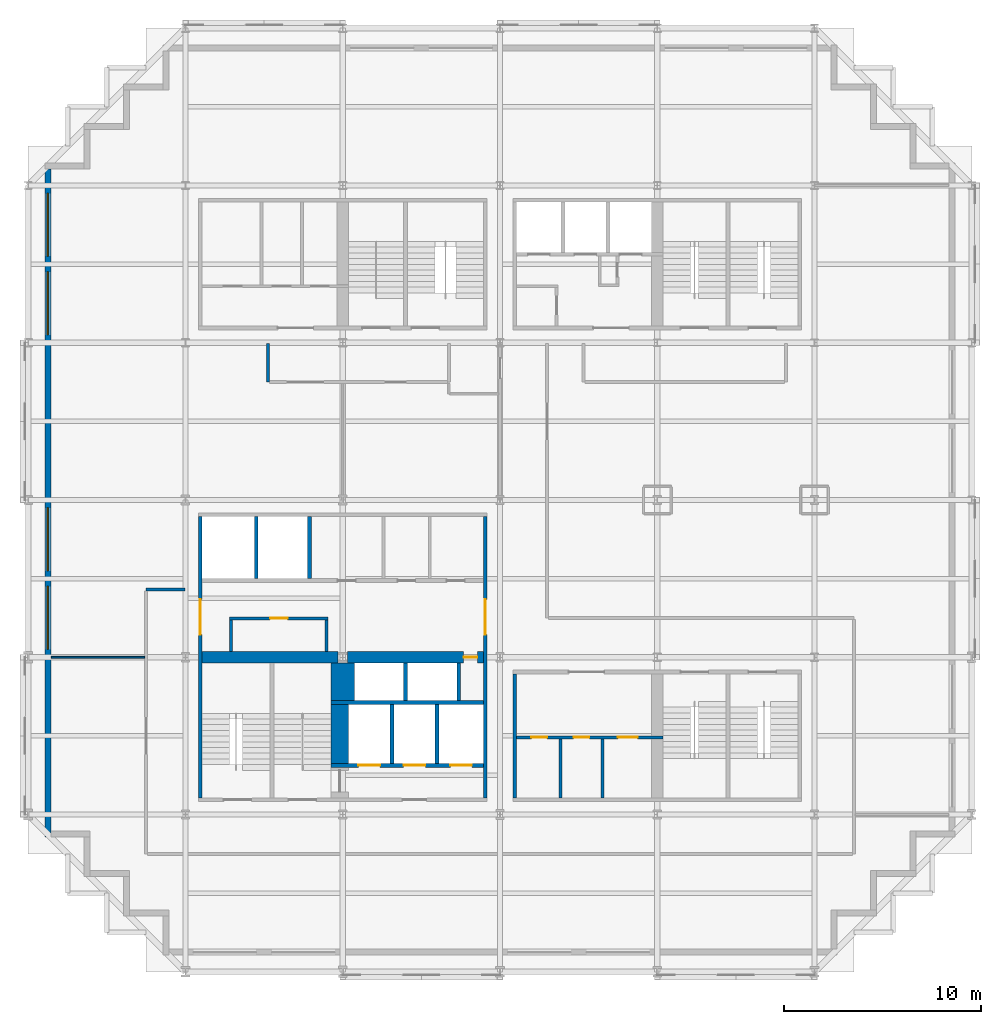
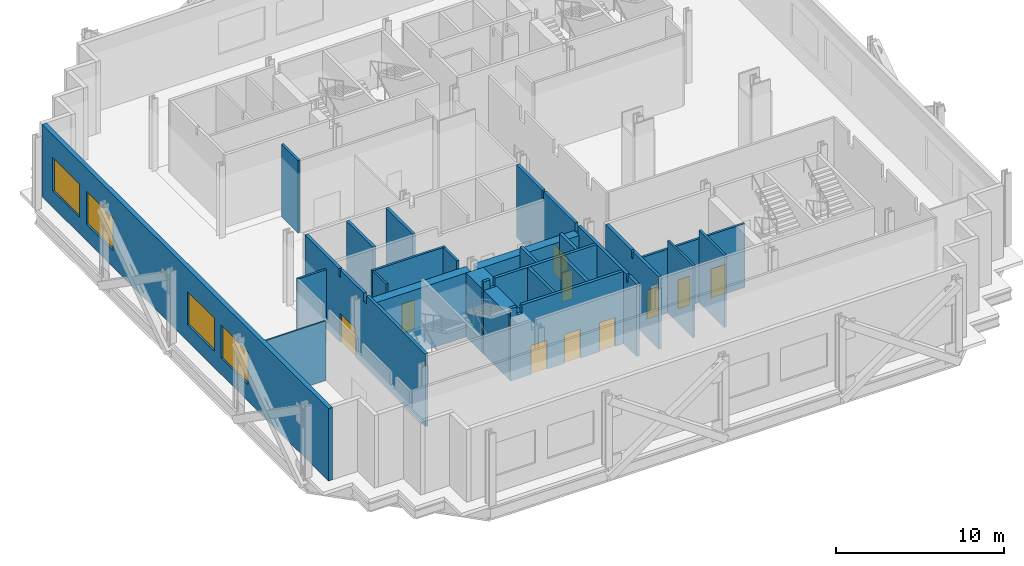
# One storey, part 5 of 10: 25 walls, 10 doors, 4 windows, 14 openings.
"""IFC4 building model written with IfcOpenShell, lengths in metres."""

from ifc_helpers import new_model, si_unit, direction, frame, frame_2d, origin, place, context, subcontext, project, spatial, polyline, rectangle, outline, extrude, material, layer, layer_set, type_object, element, fill, save


model = new_model("IFC4")

# Units and contexts
model_context = context("Model", 3, precision=1e-05, world=origin(), true_north=direction((0.0, 1.0)))
body_context = subcontext(model_context, "Body", "Model", "MODEL_VIEW")
ifc_project = project(units=[si_unit("LENGTHUNIT", "METRE"), si_unit("AREAUNIT", "SQUARE_METRE"), si_unit("VOLUMEUNIT", "CUBIC_METRE"), si_unit("PLANEANGLEUNIT", "RADIAN"), si_unit("MASSUNIT", "GRAM", prefix="KILO")], contexts=[model_context])

# Site, building, storey
site_placement = place(None, origin())
site = spatial("IfcSite", under=ifc_project, at=site_placement, CompositionType="ELEMENT")
building_placement = place(site_placement, origin())
building = spatial("IfcBuilding", under=site, at=building_placement, Name="Immortelle Media Tower", CompositionType="ELEMENT")
storey_placement = place(building_placement, frame((0.0, 0.0, 29.39990234375)))
storey = spatial("IfcBuildingStorey", under=building, at=storey_placement, Name="L03", CompositionType="ELEMENT", Elevation=29.39990234375)

# Wall, opening, door
ifc_material_1 = material(Name="Fire-rated masonry blockwork", Category="masonry")
ifc_layer_1 = layer(ifc_material_1, 0.60009765625)
ifc_layer_set_1 = layer_set([ifc_layer_1], Name="Fire-rated masonry blockwork")
wall_type_1 = type_object("IfcWallType", Name="Core grid-line wall 600", PredefinedType="PARTITIONING", material=ifc_layer_set_1)
wall_1_placement = place(storey_placement, frame((16.24755859375, 16.0, 0.0), z_axis=(0.0, 0.0, 1.0), x_axis=(1.0, 0.0, 0.0)))
wall_1 = element("IfcWall", 1, at=wall_1_placement, inside=storey, type_object=wall_type_1, Name="Core grid-line wall SW", PredefinedType="PARTITIONING", context=body_context, shape_type="SweptSolid", body=[
    extrude(rectangle(XDim=6.90234375, YDim=0.60009765625, at=frame_2d((3.451171875, 0.0))), origin(), (0.0, 0.0, 1.0), 4.632080078125),
])
opening_1_placement = place(wall_1_placement, frame((6.6025390625, 0.0, 0.0), z_axis=(0.0, 0.0, 1.0), x_axis=(-1.0, 0.0, 0.0)))
opening_1 = element("IfcOpeningElement", 2, at=opening_1_placement, cuts=wall_1, Name="Opening P3-K013", PredefinedType="OPENING", context=body_context, shape_type="SweptSolid", body=[
    extrude(rectangle(XDim=0.699951171875, YDim=2.10009765625, at=frame_2d((0.35009765625, 1.050048828125))), frame((0.0, 0.31005859375, 0.0), z_axis=(0.0, -1.0, 0.0), x_axis=(1.0, 0.0, 0.0)), (0.0, 0.0, 1.0), 0.6201171875),
])
ifc_material_2 = material(Name="Galvanised steel door leaf and frame ASTM A653", Category="steel")
door_type_1 = type_object("IfcDoorType", Name="Service door 700 x 2100", OperationType="NOTDEFINED", PredefinedType="NOTDEFINED", material=ifc_material_2)
door_1_placement = place(opening_1_placement, origin())
door_1 = element("IfcDoor", 3, at=door_1_placement, inside=storey, type_object=door_type_1, Name="Service P3-K013", OperationType="SINGLE_SWING_RIGHT", OverallHeight=2.10009765625, OverallWidth=0.699951171875, PredefinedType="NOTDEFINED", context=body_context, shape_type="SweptSolid", body=[
    extrude(rectangle(XDim=0.699951171875, YDim=2.10009765625, at=frame_2d((0.35009765625, 1.050048828125))), frame((0.0, 0.02490234375, 0.0), z_axis=(0.0, -1.0, 0.0), x_axis=(1.0, 0.0, 0.0)), (0.0, 0.0, 1.0), 0.050048828125),
])
fill(opening_1, door_1)

# Wall
ifc_material_3 = material(Name="Fire-rated gypsum board", Category="gypsum")
ifc_layer_2 = layer(ifc_material_3, 0.02490234375)
ifc_material_4 = material(Name="Steel ASTM A653 SS Gr 50 stud frame with mineral wool", Category="steel")
ifc_layer_3 = layer(ifc_material_4, 0.10009765625)
ifc_layer_4 = layer(ifc_material_3, 0.02490234375)
ifc_layer_set_2 = layer_set([ifc_layer_2, ifc_layer_3, ifc_layer_4], Name="Steel ASTM A653 SS Gr 50 stud frame with mineral wool")
wall_type_2 = type_object("IfcWallType", Name="Core partition 150", PredefinedType="PARTITIONING", material=ifc_layer_set_2)
wall_2_placement = place(storey_placement, frame((10.324951171875, 16.300048828125, 0.0), z_axis=(0.0, 0.0, 1.0), x_axis=(0.0, 1.0, 0.0)))
element("IfcWall", 4, at=wall_2_placement, inside=storey, type_object=wall_type_2, Name="Core partition SW", PredefinedType="PARTITIONING", context=body_context, shape_type="SweptSolid", body=[
    extrude(rectangle(XDim=1.599853515625, YDim=0.14990234375, at=frame_2d((0.7998046875, 0.0))), origin(), (0.0, 0.0, 1.0), 5.25),
])

# Wall, opening, door
wall_3_placement = place(storey_placement, frame((10.25, 17.97509765625, 0.0), z_axis=(0.0, 0.0, 1.0), x_axis=(1.0, 0.0, 0.0)))
wall_3 = element("IfcWall", 5, at=wall_3_placement, inside=storey, type_object=wall_type_2, Name="Core partition SW", PredefinedType="PARTITIONING", context=body_context, shape_type="SweptSolid", body=[
    extrude(rectangle(XDim=5.0, YDim=0.14990234375, at=frame_2d((2.5, 0.0))), origin(), (0.0, 0.0, 1.0), 5.25),
])
opening_2_placement = place(wall_3_placement, frame((2.949951171875, 0.0, 0.0), z_axis=(0.0, 0.0, 1.0), x_axis=(-1.0, 0.0, 0.0)))
opening_2 = element("IfcOpeningElement", 6, at=opening_2_placement, cuts=wall_3, Name="Opening P3-K003", PredefinedType="OPENING", context=body_context, shape_type="SweptSolid", body=[
    extrude(rectangle(XDim=0.89990234375, YDim=2.10009765625, at=frame_2d((0.449951171875, 1.050048828125))), frame((0.0, 0.0849609375, 0.0), z_axis=(0.0, -1.0, 0.0), x_axis=(1.0, 0.0, 0.0)), (0.0, 0.0, 1.0), 0.169921875),
])
ifc_material_5 = material(Name="Timber", Category="wood")
door_type_2 = type_object("IfcDoorType", Name="Room door 900 x 2100", OperationType="NOTDEFINED", PredefinedType="NOTDEFINED", material=ifc_material_5)
door_2_placement = place(opening_2_placement, origin())
door_2 = element("IfcDoor", 7, at=door_2_placement, inside=storey, type_object=door_type_2, Name="Room P3-K003", OperationType="SINGLE_SWING_RIGHT", OverallHeight=2.10009765625, OverallWidth=0.89990234375, PredefinedType="NOTDEFINED", context=body_context, shape_type="SweptSolid", body=[
    extrude(rectangle(XDim=0.89990234375, YDim=2.10009765625, at=frame_2d((0.449951171875, 1.050048828125))), frame((0.0, 0.02490234375, 0.0), z_axis=(0.0, -1.0, 0.0), x_axis=(1.0, 0.0, 0.0)), (0.0, 0.0, 1.0), 0.050048828125),
])
fill(opening_2, door_2)

# Wall
wall_4_placement = place(storey_placement, frame((15.175048828125, 16.300048828125, 0.0), z_axis=(0.0, 0.0, 1.0), x_axis=(0.0, 1.0, 0.0)))
element("IfcWall", 8, at=wall_4_placement, inside=storey, type_object=wall_type_2, Name="Core partition SW", PredefinedType="PARTITIONING", context=body_context, shape_type="SweptSolid", body=[
    extrude(rectangle(XDim=1.599853515625, YDim=0.14990234375, at=frame_2d((0.7998046875, 0.0))), origin(), (0.0, 0.0, 1.0), 5.25),
])

# Wall, openings, doors
wall_5_placement = place(storey_placement, frame((24.85009765625, 11.925048828125, 0.0), z_axis=(0.0, 0.0, 1.0), x_axis=(1.0, 0.0, 0.0)))
wall_5 = element("IfcWall", 9, at=wall_5_placement, inside=storey, type_object=wall_type_2, Name="Core partition SE", PredefinedType="PARTITIONING", context=body_context, shape_type="SweptSolid", body=[
    extrude(rectangle(XDim=7.449951171875, YDim=0.14990234375, at=frame_2d((3.72509765625, 0.0))), origin(), (0.0, 0.0, 1.0), 4.632080078125),
])
opening_3_placement = place(wall_5_placement, frame((1.550048828125, 0.0, 0.0), z_axis=(0.0, 0.0, 1.0), x_axis=(-1.0, 0.0, 0.0)))
opening_3 = element("IfcOpeningElement", 10, at=opening_3_placement, cuts=wall_5, Name="Opening P3-K015", PredefinedType="OPENING", context=body_context, shape_type="SweptSolid", body=[
    extrude(rectangle(XDim=0.800048828125, YDim=2.10009765625, at=frame_2d((0.39990234375, 1.050048828125))), frame((0.0, 0.0849609375, 0.0), z_axis=(0.0, -1.0, 0.0), x_axis=(1.0, 0.0, 0.0)), (0.0, 0.0, 1.0), 0.169921875),
])
opening_4_placement = place(wall_5_placement, frame((3.699951171875, 0.0, 0.0), z_axis=(0.0, 0.0, 1.0), x_axis=(-1.0, 0.0, 0.0)))
opening_4 = element("IfcOpeningElement", 11, at=opening_4_placement, cuts=wall_5, Name="Opening P3-K016", PredefinedType="OPENING", context=body_context, shape_type="SweptSolid", body=[
    extrude(rectangle(XDim=0.800048828125, YDim=2.10009765625, at=frame_2d((0.39990234375, 1.050048828125))), frame((0.0, 0.0849609375, 0.0), z_axis=(0.0, -1.0, 0.0), x_axis=(1.0, 0.0, 0.0)), (0.0, 0.0, 1.0), 0.169921875),
])
opening_5_placement = place(wall_5_placement, frame((6.14990234375, 0.0, 0.0), z_axis=(0.0, 0.0, 1.0), x_axis=(-1.0, 0.0, 0.0)))
opening_5 = element("IfcOpeningElement", 12, at=opening_5_placement, cuts=wall_5, Name="Opening P3-K018", PredefinedType="OPENING", context=body_context, shape_type="SweptSolid", body=[
    extrude(rectangle(XDim=1.0, YDim=2.10009765625, at=frame_2d((0.5, 1.050048828125))), frame((0.0, 0.0849609375, 0.0), z_axis=(0.0, -1.0, 0.0), x_axis=(1.0, 0.0, 0.0)), (0.0, 0.0, 1.0), 0.169921875),
])
door_type_3 = type_object("IfcDoorType", Name="Accessible toilet door 1000 x 2100", OperationType="NOTDEFINED", PredefinedType="NOTDEFINED", material=ifc_material_5)
door_3_placement = place(opening_5_placement, origin())
door_3 = element("IfcDoor", 13, at=door_3_placement, inside=storey, type_object=door_type_3, Name="Accessible toilet P3-K018", OperationType="SINGLE_SWING_LEFT", OverallHeight=2.10009765625, OverallWidth=1.0, PredefinedType="NOTDEFINED", context=body_context, shape_type="SweptSolid", body=[
    extrude(rectangle(XDim=1.0, YDim=2.10009765625, at=frame_2d((0.5, 1.050048828125))), frame((0.0, 0.02490234375, 0.0), z_axis=(0.0, -1.0, 0.0), x_axis=(1.0, 0.0, 0.0)), (0.0, 0.0, 1.0), 0.050048828125),
])
fill(opening_5, door_3)
door_type_4 = type_object("IfcDoorType", Name="Toilet door 800 x 2100", OperationType="NOTDEFINED", PredefinedType="NOTDEFINED", material=ifc_material_5)
door_4_placement = place(opening_3_placement, origin())
door_4 = element("IfcDoor", 14, at=door_4_placement, inside=storey, type_object=door_type_4, Name="Toilet P3-K015", OperationType="SINGLE_SWING_RIGHT", OverallHeight=2.10009765625, OverallWidth=0.800048828125, PredefinedType="NOTDEFINED", context=body_context, shape_type="SweptSolid", body=[
    extrude(rectangle(XDim=0.800048828125, YDim=2.10009765625, at=frame_2d((0.39990234375, 1.050048828125))), frame((0.0, 0.02490234375, 0.0), z_axis=(0.0, -1.0, 0.0), x_axis=(1.0, 0.0, 0.0)), (0.0, 0.0, 1.0), 0.050048828125),
])
fill(opening_3, door_4)
door_5_placement = place(opening_4_placement, origin())
door_5 = element("IfcDoor", 15, at=door_5_placement, inside=storey, type_object=door_type_4, Name="Toilet P3-K016", OperationType="SINGLE_SWING_LEFT", OverallHeight=2.10009765625, OverallWidth=0.800048828125, PredefinedType="NOTDEFINED", context=body_context, shape_type="SweptSolid", body=[
    extrude(rectangle(XDim=0.800048828125, YDim=2.10009765625, at=frame_2d((0.39990234375, 1.050048828125))), frame((0.0, 0.02490234375, 0.0), z_axis=(0.0, -1.0, 0.0), x_axis=(1.0, 0.0, 0.0)), (0.0, 0.0, 1.0), 0.050048828125),
])
fill(opening_4, door_5)

# Walls
for number, where, z_axis, x_axis, name in (
    (16, (27.074951171875, 8.85009765625, 0.0), (0.0, 0.0, 1.0), (0.0, 1.0, 0.0), "Core partition SE"),
    (17, (29.22509765625, 8.85009765625, 0.0), (0.0, 0.0, 1.0), (0.0, 1.0, 0.0), "Core partition SE"),
):
    element("IfcWall", number, at=place(storey_placement, frame(where, z_axis=z_axis, x_axis=x_axis)), inside=storey, type_object=wall_type_2, Name=name, PredefinedType="PARTITIONING", context=body_context, shape_type="SweptSolid", body=[
        extrude(rectangle(XDim=3.0, YDim=0.14990234375, at=frame_2d((1.5, 0.0))), origin(), (0.0, 0.0, 1.0), 5.25),
    ])
ifc_layer_5 = layer(ifc_material_3, 0.03759765625)
ifc_layer_6 = layer(ifc_material_4, 0.125)
ifc_layer_7 = layer(ifc_material_3, 0.03759765625)
ifc_layer_set_3 = layer_set([ifc_layer_5, ifc_layer_6, ifc_layer_7], Name="Steel ASTM A653 SS Gr 50 stud frame with mineral wool")
wall_type_3 = type_object("IfcWallType", Name="Core shaft wall 200", PredefinedType="PARTITIONING", material=ifc_layer_set_3)
for number, where, z_axis, x_axis, name in (
    (18, (11.60009765625, 20.0, 0.0), (0.0, 0.0, 1.0), (0.0, 1.0, 0.0), "Core shaft wall SW"),
    (19, (14.300048828125, 20.0, 0.0), (0.0, 0.0, 1.0), (0.0, 1.0, 0.0), "Core shaft wall SW"),
):
    element("IfcWall", number, at=place(storey_placement, frame(where, z_axis=z_axis, x_axis=x_axis)), inside=storey, type_object=wall_type_3, Name=name, PredefinedType="PARTITIONING", context=body_context, shape_type="SweptSolid", body=[
        extrude(rectangle(XDim=3.14990234375, YDim=0.199951171875, at=frame_2d((1.574951171875, 0.0))), origin(), (0.0, 0.0, 1.0), 5.25),
    ])

# Wall, openings, doors
wall_6_placement = place(storey_placement, frame((15.39990234375, 10.5, 0.0), z_axis=(0.0, 0.0, 1.0), x_axis=(1.0, 0.0, 0.0)))
wall_6 = element("IfcWall", 20, at=wall_6_placement, inside=storey, type_object=wall_type_3, Name="Core shaft wall SW", PredefinedType="PARTITIONING", context=body_context, shape_type="SweptSolid", body=[
    extrude(outline(polyline([(0.0, 0.0), (7.75, 0.0), (7.75, 5.25), (0.76708984375, 5.25), (0.76611328125, 4.632080078125), (0.43408203125, 4.632080078125), (0.43310546875, 5.25), (0.0, 5.25), (0.0, 0.0)])), frame((0.0, 0.10009765625, 0.0), z_axis=(0.0, -1.0, 0.0), x_axis=(1.0, 0.0, 0.0)), (0.0, 0.0, 1.0), 0.199951171875),
])
opening_6_placement = place(wall_6_placement, frame((1.39990234375, 0.0, 0.0)))
opening_6 = element("IfcOpeningElement", 21, at=opening_6_placement, cuts=wall_6, Name="Opening LD", PredefinedType="OPENING", context=body_context, shape_type="SweptSolid", body=[
    extrude(rectangle(XDim=1.10009765625, YDim=2.10009765625, at=frame_2d((0.550048828125, 1.050048828125))), frame((0.0, 0.10986328125, 0.0), z_axis=(0.0, -1.0, 0.0), x_axis=(1.0, 0.0, 0.0)), (0.0, 0.0, 1.0), 0.219970703125),
])
opening_7_placement = place(wall_6_placement, frame((3.699951171875, 0.0, 0.0)))
opening_7 = element("IfcOpeningElement", 22, at=opening_7_placement, cuts=wall_6, Name="Opening LD", PredefinedType="OPENING", context=body_context, shape_type="SweptSolid", body=[
    extrude(rectangle(XDim=1.10009765625, YDim=2.10009765625, at=frame_2d((0.550048828125, 1.050048828125))), frame((0.0, 0.10986328125, 0.0), z_axis=(0.0, -1.0, 0.0), x_axis=(1.0, 0.0, 0.0)), (0.0, 0.0, 1.0), 0.219970703125),
])
opening_8_placement = place(wall_6_placement, frame((6.074951171875, 0.0, 0.0)))
opening_8 = element("IfcOpeningElement", 23, at=opening_8_placement, cuts=wall_6, Name="Opening LD", PredefinedType="OPENING", context=body_context, shape_type="SweptSolid", body=[
    extrude(rectangle(XDim=1.10009765625, YDim=2.10009765625, at=frame_2d((0.550048828125, 1.050048828125))), frame((0.0, 0.10986328125, 0.0), z_axis=(0.0, -1.0, 0.0), x_axis=(1.0, 0.0, 0.0)), (0.0, 0.0, 1.0), 0.219970703125),
])
ifc_material_6 = material(Name="Stainless steel AISI 304", Category="steel")
door_type_5 = type_object("IfcDoorType", Name="Landing door 1100 x 2100", OperationType="SLIDING_TO_LEFT", PredefinedType="NOTDEFINED", material=ifc_material_6)
door_6_placement = place(opening_6_placement, origin())
door_6 = element("IfcDoor", 24, at=door_6_placement, inside=storey, type_object=door_type_5, Name="Landing door FF1 L03", OperationType="SLIDING_TO_LEFT", OverallHeight=2.10009765625, OverallWidth=1.10009765625, PredefinedType="NOTDEFINED", context=body_context, shape_type="SweptSolid", body=[
    extrude(rectangle(XDim=1.10009765625, YDim=2.10009765625, at=frame_2d((0.550048828125, 1.050048828125))), frame((0.0, 0.02490234375, 0.0), z_axis=(0.0, -1.0, 0.0), x_axis=(1.0, 0.0, 0.0)), (0.0, 0.0, 1.0), 0.050048828125),
])
fill(opening_6, door_6)
door_7_placement = place(opening_7_placement, origin())
door_7 = element("IfcDoor", 25, at=door_7_placement, inside=storey, type_object=door_type_5, Name="Landing door FF2 L03", OperationType="SLIDING_TO_LEFT", OverallHeight=2.10009765625, OverallWidth=1.10009765625, PredefinedType="NOTDEFINED", context=body_context, shape_type="SweptSolid", body=[
    extrude(rectangle(XDim=1.10009765625, YDim=2.10009765625, at=frame_2d((0.550048828125, 1.050048828125))), frame((0.0, 0.02490234375, 0.0), z_axis=(0.0, -1.0, 0.0), x_axis=(1.0, 0.0, 0.0)), (0.0, 0.0, 1.0), 0.050048828125),
])
fill(opening_7, door_7)
door_8_placement = place(opening_8_placement, origin())
door_8 = element("IfcDoor", 26, at=door_8_placement, inside=storey, type_object=door_type_5, Name="Landing door FF3 L03", OperationType="SLIDING_TO_LEFT", OverallHeight=2.10009765625, OverallWidth=1.10009765625, PredefinedType="NOTDEFINED", context=body_context, shape_type="SweptSolid", body=[
    extrude(rectangle(XDim=1.10009765625, YDim=2.10009765625, at=frame_2d((0.550048828125, 1.050048828125))), frame((0.0, 0.02490234375, 0.0), z_axis=(0.0, -1.0, 0.0), x_axis=(1.0, 0.0, 0.0)), (0.0, 0.0, 1.0), 0.050048828125),
])
fill(opening_8, door_8)

# Walls
wall_7_placement = place(storey_placement, frame((15.39990234375, 13.699951171875, 0.0), z_axis=(0.0, 0.0, 1.0), x_axis=(1.0, 0.0, 0.0)))
element("IfcWall", 27, at=wall_7_placement, inside=storey, type_object=wall_type_3, Name="Core shaft wall SW", PredefinedType="PARTITIONING", context=body_context, shape_type="SweptSolid", body=[
    extrude(outline(polyline([(0.0, 0.0), (7.75, 0.0), (7.75, 5.25), (0.76708984375, 5.25), (0.76611328125, 4.632080078125), (0.43408203125, 4.632080078125), (0.43310546875, 5.25), (0.0, 5.25), (0.0, 0.0)])), frame((0.0, 0.10009765625, 0.0), z_axis=(0.0, -1.0, 0.0), x_axis=(1.0, 0.0, 0.0)), (0.0, 0.0, 1.0), 0.199951171875),
])
wall_8_placement = place(storey_placement, frame((18.5, 10.60009765625, 0.0), z_axis=(0.0, 0.0, 1.0), x_axis=(0.0, 1.0, 0.0)))
element("IfcWall", 28, at=wall_8_placement, inside=storey, type_object=wall_type_3, Name="Core shaft wall SW", PredefinedType="PARTITIONING", context=body_context, shape_type="SweptSolid", body=[
    extrude(rectangle(XDim=3.0, YDim=0.199951171875, at=frame_2d((1.5, 0.0))), origin(), (0.0, 0.0, 1.0), 5.25),
])
wall_9_placement = place(storey_placement, frame((19.199951171875, 13.800048828125, 0.0), z_axis=(0.0, 0.0, 1.0), x_axis=(0.0, 1.0, 0.0)))
element("IfcWall", 29, at=wall_9_placement, inside=storey, type_object=wall_type_3, Name="Core shaft wall SW", PredefinedType="PARTITIONING", context=body_context, shape_type="SweptSolid", body=[
    extrude(rectangle(XDim=1.89990234375, YDim=0.199951171875, at=frame_2d((0.949951171875, 0.0))), origin(), (0.0, 0.0, 1.0), 5.25),
])
wall_10_placement = place(storey_placement, frame((20.800048828125, 10.60009765625, 0.0), z_axis=(0.0, 0.0, 1.0), x_axis=(0.0, 1.0, 0.0)))
element("IfcWall", 30, at=wall_10_placement, inside=storey, type_object=wall_type_3, Name="Core shaft wall SW", PredefinedType="PARTITIONING", context=body_context, shape_type="SweptSolid", body=[
    extrude(rectangle(XDim=3.0, YDim=0.199951171875, at=frame_2d((1.5, 0.0))), origin(), (0.0, 0.0, 1.0), 5.25),
])
wall_11_placement = place(storey_placement, frame((21.89990234375, 13.800048828125, 0.0), z_axis=(0.0, 0.0, 1.0), x_axis=(0.0, 1.0, 0.0)))
element("IfcWall", 31, at=wall_11_placement, inside=storey, type_object=wall_type_3, Name="Core shaft wall SW", PredefinedType="PARTITIONING", context=body_context, shape_type="SweptSolid", body=[
    extrude(rectangle(XDim=1.89990234375, YDim=0.199951171875, at=frame_2d((0.949951171875, 0.0))), origin(), (0.0, 0.0, 1.0), 5.25),
])

# Wall, opening, door
wall_12_placement = place(storey_placement, frame((23.25, 8.85009765625, 0.0), z_axis=(0.0, 0.0, 1.0), x_axis=(0.0, 1.0, 0.0)))
wall_12 = element("IfcWall", 32, at=wall_12_placement, inside=storey, type_object=wall_type_3, Name="Core shaft wall SW", PredefinedType="PARTITIONING", context=body_context, shape_type="SweptSolid", body=[
    extrude(outline(polyline([(0.0, 0.0), (14.2998046875, 0.0), (14.300048828125, 5.25), (11.238525390625, 5.25), (11.237548828125, 4.7080078125), (11.0625, 4.7080078125), (11.0615234375, 5.25), (7.31689453125, 5.25), (7.31591796875, 4.632080078125), (6.98388671875, 4.632080078125), (6.98291015625, 5.25), (1.238525390625, 5.25), (1.237548828125, 4.7080078125), (1.0625, 4.7080078125), (1.0615234375, 5.25), (0.0, 5.25), (0.0, 0.0)])), frame((0.0, 0.10009765625, 0.0), z_axis=(0.0, -1.0, 0.0), x_axis=(1.0, 0.0, 0.0)), (0.0, 0.0, 1.0), 0.199951171875),
])
opening_9_placement = place(wall_12_placement, frame((8.300048828125, 0.0, 0.0)))
opening_9 = element("IfcOpeningElement", 33, at=opening_9_placement, cuts=wall_12, Name="Opening P3-K014", PredefinedType="OPENING", context=body_context, shape_type="SweptSolid", body=[
    extrude(rectangle(XDim=1.800048828125, YDim=2.10009765625, at=frame_2d((0.89990234375, 1.050048828125))), frame((0.0, 0.10986328125, 0.0), z_axis=(0.0, -1.0, 0.0), x_axis=(1.0, 0.0, 0.0)), (0.0, 0.0, 1.0), 0.219970703125),
])
door_type_6 = type_object("IfcDoorType", Name="Lift lobby door 1800 x 2100", OperationType="DOUBLE_DOOR_SINGLE_SWING", PredefinedType="NOTDEFINED", material=ifc_material_2)
door_9_placement = place(opening_9_placement, origin())
door_9 = element("IfcDoor", 34, at=door_9_placement, inside=storey, type_object=door_type_6, Name="Lift lobby P3-K014", OperationType="DOUBLE_DOOR_SINGLE_SWING", OverallHeight=2.10009765625, OverallWidth=1.800048828125, PredefinedType="NOTDEFINED", context=body_context, shape_type="SweptSolid", body=[
    extrude(rectangle(XDim=1.800048828125, YDim=2.10009765625, at=frame_2d((0.89990234375, 1.050048828125))), frame((0.0, 0.02490234375, 0.0), z_axis=(0.0, -1.0, 0.0), x_axis=(1.0, 0.0, 0.0)), (0.0, 0.0, 1.0), 0.050048828125),
])
fill(opening_9, door_9)

# Walls
wall_13_placement = place(storey_placement, frame((24.75, 8.85009765625, 0.0), z_axis=(0.0, 0.0, 1.0), x_axis=(0.0, 1.0, 0.0)))
element("IfcWall", 35, at=wall_13_placement, inside=storey, type_object=wall_type_3, Name="Core shaft wall SE", PredefinedType="PARTITIONING", context=body_context, shape_type="SweptSolid", body=[
    extrude(outline(polyline([(0.0, 0.0), (6.2998046875, 0.0), (6.300048828125, 5.25), (3.238525390625, 5.25), (3.237548828125, 4.7080078125), (3.0625, 4.7080078125), (3.0615234375, 5.25), (0.0, 5.25), (0.0, 0.0)])), frame((0.0, 0.10009765625, 0.0), z_axis=(0.0, -1.0, 0.0), x_axis=(1.0, 0.0, 0.0)), (0.0, 0.0, 1.0), 0.199951171875),
])
ifc_layer_8 = layer(ifc_material_3, 0.012451171875)
ifc_layer_9 = layer(ifc_material_4, 0.125)
ifc_layer_10 = layer(ifc_material_3, 0.012451171875)
ifc_layer_set_4 = layer_set([ifc_layer_8, ifc_layer_9, ifc_layer_10], Name="Steel ASTM A653 SS Gr 50 stud frame with mineral wool")
wall_type_4 = type_object("IfcWallType", Name="Corridor wall 150", PredefinedType="PARTITIONING", material=ifc_layer_set_4)
for number, where, z_axis, x_axis, name in (
    (36, (6.0, 19.449951171875, 0.0), (0.0, 0.0, 1.0), (1.0, 0.0, 0.0), "Partition L03-008"),
    (37, (12.199951171875, 30.0, 0.0), (0.0, 0.0, 1.0), (0.0, 1.0, 0.0), "Partition L03-022"),
):
    element("IfcWall", number, at=place(storey_placement, frame(where, z_axis=z_axis, x_axis=x_axis)), inside=storey, type_object=wall_type_4, Name=name, PredefinedType="PARTITIONING", context=body_context, shape_type="SweptSolid", body=[
        extrude(rectangle(XDim=1.969970703125, YDim=0.14990234375, at=frame_2d((0.98486328125, 0.0))), origin(), (0.0, 0.0, 1.0), 5.25),
    ])

# Wall, openings, windows
ifc_material_7 = material(Name="Pale aluminium cladding panel", Category="aluminium")
ifc_layer_11 = layer(ifc_material_7, 0.030029296875)
ifc_layer_12 = layer(ifc_material_4, 0.257568359375)
ifc_material_8 = material(Name="Moisture-resistant gypsum board", Category="gypsum")
ifc_layer_13 = layer(ifc_material_8, 0.012451171875)
ifc_layer_set_5 = layer_set([ifc_layer_11, ifc_layer_12, ifc_layer_13], Name="Steel ASTM A653 SS Gr 50 stud frame with mineral wool")
wall_type_5 = type_object("IfcWallType", Name="Pale metal clad wall 300", PredefinedType="STANDARD", material=ifc_layer_set_5)
wall_14_placement = place(storey_placement, frame((1.0, 40.85009765625, 0.0), z_axis=(0.0, 0.0, 1.0), x_axis=(0.0, -1.0, 0.0)))
wall_14 = element("IfcWall", 38, at=wall_14_placement, inside=storey, type_object=wall_type_5, Name="Support floor wall L03 W 28", PredefinedType="STANDARD", context=body_context, shape_type="SweptSolid", body=[
    extrude(rectangle(XDim=34.0, YDim=0.300048828125, at=frame_2d((17.0, 0.0))), origin(), (0.0, 0.0, 1.0), 5.25),
])
opening_10_placement = place(wall_14_placement, frame((1.25, 0.0, 1.199951171875)))
opening_10 = element("IfcOpeningElement", 39, at=opening_10_placement, cuts=wall_14, Name="Opening WE1", PredefinedType="OPENING", context=body_context, shape_type="SweptSolid", body=[
    extrude(rectangle(XDim=3.199951171875, YDim=2.39990234375, at=frame_2d((1.60009765625, 1.199951171875))), frame((0.0, 0.159912109375, 0.0), z_axis=(0.0, -1.0, 0.0), x_axis=(1.0, 0.0, 0.0)), (0.0, 0.0, 1.0), 0.320068359375),
])
opening_11_placement = place(wall_14_placement, frame((5.25, 0.0, 1.199951171875)))
opening_11 = element("IfcOpeningElement", 40, at=opening_11_placement, cuts=wall_14, Name="Opening WE1", PredefinedType="OPENING", context=body_context, shape_type="SweptSolid", body=[
    extrude(rectangle(XDim=3.199951171875, YDim=2.39990234375, at=frame_2d((1.60009765625, 1.199951171875))), frame((0.0, 0.159912109375, 0.0), z_axis=(0.0, -1.0, 0.0), x_axis=(1.0, 0.0, 0.0)), (0.0, 0.0, 1.0), 0.320068359375),
])
opening_12_placement = place(wall_14_placement, frame((17.25, 0.0, 1.199951171875)))
opening_12 = element("IfcOpeningElement", 41, at=opening_12_placement, cuts=wall_14, Name="Opening WE1", PredefinedType="OPENING", context=body_context, shape_type="SweptSolid", body=[
    extrude(rectangle(XDim=3.199951171875, YDim=2.39990234375, at=frame_2d((1.60009765625, 1.199951171875))), frame((0.0, 0.159912109375, 0.0), z_axis=(0.0, -1.0, 0.0), x_axis=(1.0, 0.0, 0.0)), (0.0, 0.0, 1.0), 0.320068359375),
])
opening_13_placement = place(wall_14_placement, frame((21.25, 0.0, 1.199951171875)))
opening_13 = element("IfcOpeningElement", 42, at=opening_13_placement, cuts=wall_14, Name="Opening WE1", PredefinedType="OPENING", context=body_context, shape_type="SweptSolid", body=[
    extrude(rectangle(XDim=3.199951171875, YDim=2.39990234375, at=frame_2d((1.60009765625, 1.199951171875))), frame((0.0, 0.159912109375, 0.0), z_axis=(0.0, -1.0, 0.0), x_axis=(1.0, 0.0, 0.0)), (0.0, 0.0, 1.0), 0.320068359375),
])
ifc_material_9 = material(Name="Aluminium frame, double glazed 6-16-6 low-e", Category="aluminium")
window_type = type_object("IfcWindowType", Name="Ribbon window 3200", PartitioningType="SINGLE_PANEL", PredefinedType="WINDOW", material=ifc_material_9)
window_1_placement = place(opening_10_placement, origin())
window_1 = element("IfcWindow", 43, at=window_1_placement, inside=storey, type_object=window_type, Name="Ribbon window L03-1", OverallHeight=2.39990234375, OverallWidth=3.199951171875, PartitioningType="SINGLE_PANEL", PredefinedType="WINDOW", context=body_context, shape_type="SweptSolid", body=[
    extrude(rectangle(XDim=3.199951171875, YDim=2.39990234375, at=frame_2d((1.60009765625, 1.199951171875))), frame((0.0, 0.030029296875, 0.0), z_axis=(0.0, -1.0, 0.0), x_axis=(1.0, 0.0, 0.0)), (0.0, 0.0, 1.0), 0.06005859375),
])
fill(opening_10, window_1)
window_2_placement = place(opening_11_placement, origin())
window_2 = element("IfcWindow", 44, at=window_2_placement, inside=storey, type_object=window_type, Name="Ribbon window L03-2", OverallHeight=2.39990234375, OverallWidth=3.199951171875, PartitioningType="SINGLE_PANEL", PredefinedType="WINDOW", context=body_context, shape_type="SweptSolid", body=[
    extrude(rectangle(XDim=3.199951171875, YDim=2.39990234375, at=frame_2d((1.60009765625, 1.199951171875))), frame((0.0, 0.030029296875, 0.0), z_axis=(0.0, -1.0, 0.0), x_axis=(1.0, 0.0, 0.0)), (0.0, 0.0, 1.0), 0.06005859375),
])
fill(opening_11, window_2)
window_3_placement = place(opening_12_placement, origin())
window_3 = element("IfcWindow", 45, at=window_3_placement, inside=storey, type_object=window_type, Name="Ribbon window L03-3", OverallHeight=2.39990234375, OverallWidth=3.199951171875, PartitioningType="SINGLE_PANEL", PredefinedType="WINDOW", context=body_context, shape_type="SweptSolid", body=[
    extrude(rectangle(XDim=3.199951171875, YDim=2.39990234375, at=frame_2d((1.60009765625, 1.199951171875))), frame((0.0, 0.030029296875, 0.0), z_axis=(0.0, -1.0, 0.0), x_axis=(1.0, 0.0, 0.0)), (0.0, 0.0, 1.0), 0.06005859375),
])
fill(opening_12, window_3)
window_4_placement = place(opening_13_placement, origin())
window_4 = element("IfcWindow", 46, at=window_4_placement, inside=storey, type_object=window_type, Name="Ribbon window L03-4", OverallHeight=2.39990234375, OverallWidth=3.199951171875, PartitioningType="SINGLE_PANEL", PredefinedType="WINDOW", context=body_context, shape_type="SweptSolid", body=[
    extrude(rectangle(XDim=3.199951171875, YDim=2.39990234375, at=frame_2d((1.60009765625, 1.199951171875))), frame((0.0, 0.030029296875, 0.0), z_axis=(0.0, -1.0, 0.0), x_axis=(1.0, 0.0, 0.0)), (0.0, 0.0, 1.0), 0.06005859375),
])
fill(opening_13, window_4)

# Walls
ifc_material_10 = material(Name="Gypsum board", Category="gypsum")
ifc_layer_14 = layer(ifc_material_10, 0.012451171875)
ifc_layer_15 = layer(ifc_material_4, 0.074951171875)
ifc_layer_16 = layer(ifc_material_10, 0.012451171875)
ifc_layer_set_6 = layer_set([ifc_layer_14, ifc_layer_15, ifc_layer_16], Name="Steel ASTM A653 SS Gr 50 stud frame with mineral wool")
wall_type_6 = type_object("IfcWallType", Name="Partition 100", PredefinedType="PARTITIONING", material=ifc_layer_set_6)
wall_15_placement = place(storey_placement, frame((1.179931640625, 16.0, 0.0), z_axis=(0.0, 0.0, 1.0), x_axis=(1.0, 0.0, 0.0)))
element("IfcWall", 47, at=wall_15_placement, inside=storey, type_object=wall_type_6, Name="Partition L03-005", PredefinedType="PARTITIONING", context=body_context, shape_type="SweptSolid", body=[
    extrude(rectangle(XDim=4.7451171875, YDim=0.10009765625, at=frame_2d((2.37255859375, 0.0))), origin(), (0.0, 0.0, 1.0), 4.322998046875),
])
ifc_material_11 = material(Name="Concrete C60", Category="concrete")
ifc_layer_17 = layer(ifc_material_11, 1.199951171875)
ifc_layer_set_7 = layer_set([ifc_layer_17], Name="Concrete C60")
wall_type_7 = type_object("IfcWallType", Name="Stair shaft wall 1200", PredefinedType="PARTITIONING", material=ifc_layer_set_7)
wall_16_placement = place(storey_placement, frame((16.0, 13.800048828125, 0.0), z_axis=(0.0, 0.0, 1.0), x_axis=(0.0, 1.0, 0.0)))
element("IfcWall", 48, at=wall_16_placement, inside=storey, type_object=wall_type_7, Name="Stair shaft wall SW", PredefinedType="PARTITIONING", context=body_context, shape_type="SweptSolid", body=[
    extrude(rectangle(XDim=1.89990234375, YDim=1.199951171875, at=frame_2d((0.949951171875, 0.0))), origin(), (0.0, 0.0, 1.0), 4.632080078125),
])

# Wall, opening, door
ifc_layer_18 = layer(ifc_material_11, 0.199951171875)
ifc_layer_set_8 = layer_set([ifc_layer_18], Name="Concrete C60")
wall_type_8 = type_object("IfcWallType", Name="Stair shaft wall 200", PredefinedType="PARTITIONING", material=ifc_layer_set_8)
wall_17_placement = place(storey_placement, frame((8.75, 8.85009765625, 0.0), z_axis=(0.0, 0.0, 1.0), x_axis=(0.0, 1.0, 0.0)))
wall_17 = element("IfcWall", 49, at=wall_17_placement, inside=storey, type_object=wall_type_8, Name="Stair shaft wall SW", PredefinedType="PARTITIONING", context=body_context, shape_type="SweptSolid", body=[
    extrude(outline(polyline([(0.0, 0.0), (14.2998046875, 0.0), (14.300048828125, 5.25), (10.238525390625, 5.25), (10.237548828125, 4.7080078125), (10.0625, 4.7080078125), (10.0615234375, 5.25), (7.31689453125, 5.25), (7.31591796875, 4.632080078125), (6.98388671875, 4.632080078125), (6.98291015625, 5.25), (0.0, 5.25), (0.0, 0.0)])), frame((0.0, 0.10009765625, 0.0), z_axis=(0.0, -1.0, 0.0), x_axis=(1.0, 0.0, 0.0)), (0.0, 0.0, 1.0), 0.199951171875),
])
opening_14_placement = place(wall_17_placement, frame((8.300048828125, 0.0, 0.0)))
opening_14 = element("IfcOpeningElement", 50, at=opening_14_placement, cuts=wall_17, Name="Opening P3-K001", PredefinedType="OPENING", context=body_context, shape_type="SweptSolid", body=[
    extrude(rectangle(XDim=1.800048828125, YDim=2.10009765625, at=frame_2d((0.89990234375, 1.050048828125))), frame((0.0, 0.10986328125, 0.0), z_axis=(0.0, -1.0, 0.0), x_axis=(1.0, 0.0, 0.0)), (0.0, 0.0, 1.0), 0.219970703125),
])
door_10_placement = place(opening_14_placement, origin())
door_10 = element("IfcDoor", 51, at=door_10_placement, inside=storey, type_object=door_type_6, Name="Lift lobby P3-K001", OperationType="DOUBLE_DOOR_SINGLE_SWING", OverallHeight=2.10009765625, OverallWidth=1.800048828125, PredefinedType="NOTDEFINED", context=body_context, shape_type="SweptSolid", body=[
    extrude(rectangle(XDim=1.800048828125, YDim=2.10009765625, at=frame_2d((0.89990234375, 1.050048828125))), frame((0.0, 0.02490234375, 0.0), z_axis=(0.0, -1.0, 0.0), x_axis=(1.0, 0.0, 0.0)), (0.0, 0.0, 1.0), 0.050048828125),
])
fill(opening_14, door_10)

# Walls
ifc_layer_19 = layer(ifc_material_11, 0.60009765625)
ifc_layer_set_9 = layer_set([ifc_layer_19], Name="Concrete C60")
wall_type_9 = type_object("IfcWallType", Name="Stair shaft wall 600", PredefinedType="PARTITIONING", material=ifc_layer_set_9)
wall_18_placement = place(storey_placement, frame((8.85009765625, 16.0, 0.0), z_axis=(0.0, 0.0, 1.0), x_axis=(1.0, 0.0, 0.0)))
element("IfcWall", 52, at=wall_18_placement, inside=storey, type_object=wall_type_9, Name="Stair shaft wall SW", PredefinedType="PARTITIONING", context=body_context, shape_type="SweptSolid", body=[
    extrude(rectangle(XDim=6.90234375, YDim=0.60009765625, at=frame_2d((3.451171875, 0.0))), origin(), (0.0, 0.0, 1.0), 4.632080078125),
])
ifc_layer_20 = layer(ifc_material_11, 0.89990234375)
ifc_layer_set_10 = layer_set([ifc_layer_20], Name="Concrete C60")
wall_type_10 = type_object("IfcWallType", Name="Stair shaft wall 900", PredefinedType="PARTITIONING", material=ifc_layer_set_10)
wall_19_placement = place(storey_placement, frame((15.85009765625, 10.60009765625, 0.0), z_axis=(0.0, 0.0, 1.0), x_axis=(0.0, 1.0, 0.0)))
element("IfcWall", 53, at=wall_19_placement, inside=storey, type_object=wall_type_10, Name="Stair shaft wall SW", PredefinedType="PARTITIONING", context=body_context, shape_type="SweptSolid", body=[
    extrude(rectangle(XDim=3.0, YDim=0.89990234375, at=frame_2d((1.5, 0.0))), origin(), (0.0, 0.0, 1.0), 4.632080078125),
])

save(model, "model.ifc")
